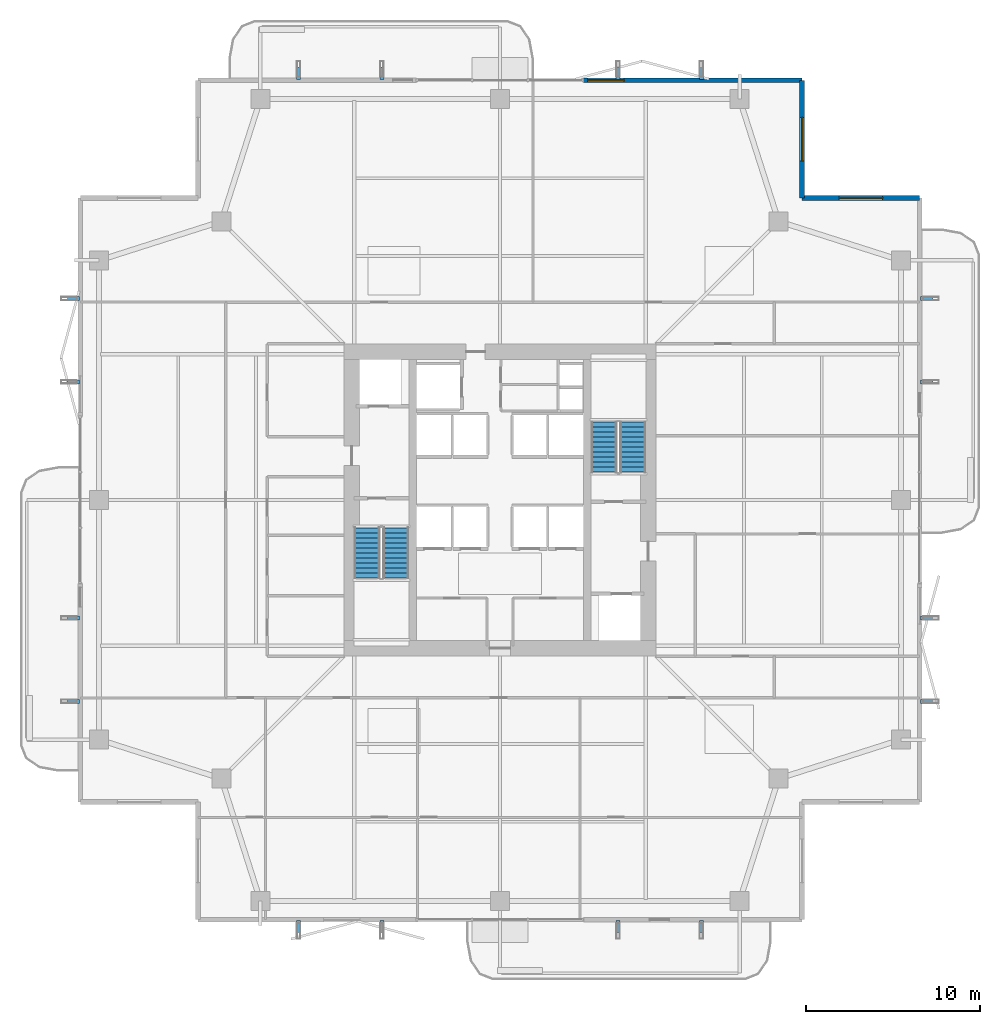
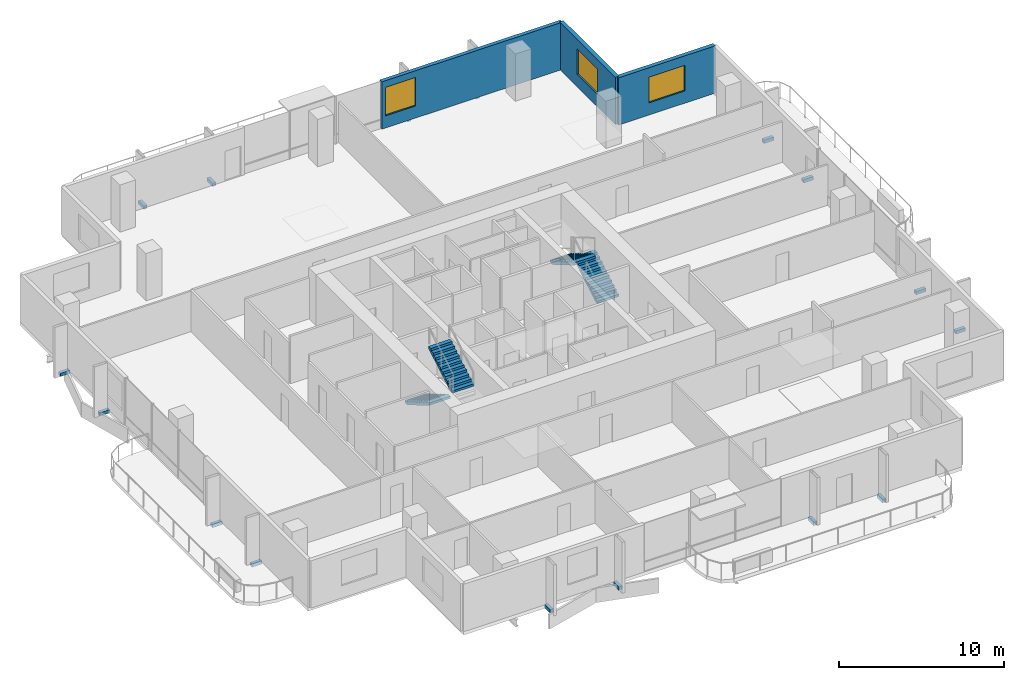
# One storey, part 21 of 25: 16 discrete accessories, 4 stair flights, 3 walls, 3 windows, 3 openings, 2 elements without a shape of their own.
"""IFC4 building model written with IfcOpenShell, lengths in metres."""

import ifcopenshell
import ifcopenshell.guid

model = None  # the IFC model being written
_history = None  # IfcOwnerHistory: only IFC2X3 demands one
_inside = {}  # id of a spatial element -> (the spatial element, [elements in it])
_under = {}  # id of a project, library or spatial element -> (it, [spatial elements below it])
_declared = {}  # id of a project -> (the project, [libraries it declares])
_typed = {}  # id of a type object -> (the type object, [elements of that type])
_made_of = {}  # id of a material, layer set ... -> (it, [elements and type objects made of it])


def new_model(schema):
    """Start an empty IFC model of exactly this schema.

    Asked for "IFC4X3", IfcOpenShell would pick the latest addendum, in which some entities
    have other attributes; the version numbers below select the first issue.
    IFC2X3 requires an IfcOwnerHistory on every rooted entity: one is made here for all.
    """
    global model, _history
    if schema == "IFC4X3":
        model = ifcopenshell.file(schema_version=(4, 3, 0, 0))
    else:
        model = ifcopenshell.file(schema=schema)
    _inside.clear()
    _under.clear()
    _declared.clear()
    _typed.clear()
    _made_of.clear()
    _history = None
    if model.schema == "IFC2X3":
        org = make("IfcOrganization", Name="unknown")
        user = make(
            "IfcPersonAndOrganization",
            ThePerson=make("IfcPerson", FamilyName="unknown"),
            TheOrganization=org,
        )
        app = make(
            "IfcApplication",
            ApplicationDeveloper=org,
            Version="unknown",
            ApplicationFullName="unknown",
            ApplicationIdentifier="unknown",
        )
        _history = make(
            "IfcOwnerHistory",
            OwningUser=user,
            OwningApplication=app,
            ChangeAction="ADDED",
            CreationDate=0,
        )
    return model


def make(cls, **values):
    """One entity of the class cls with the attributes given. An attribute that is None is left unset."""
    return model.create_entity(
        cls, **{name: value for name, value in values.items() if value is not None}
    )


def rooted(cls, **values):
    """An entity with a GlobalId (a new one), such as an element, a storey or a relation."""
    return make(cls, GlobalId=ifcopenshell.guid.new(), OwnerHistory=_history, **values)


def si_unit(unit_type, name, prefix=None):
    """IfcSIUnit, for example si_unit("LENGTHUNIT", "METRE", prefix="MILLI")."""
    return make("IfcSIUnit", UnitType=unit_type, Prefix=prefix, Name=name)


def assignment(units):
    """IfcUnitAssignment: the units of a project."""
    return None if units is None else make("IfcUnitAssignment", Units=units)


def point(xyz):
    """IfcCartesianPoint."""
    return None if xyz is None else make("IfcCartesianPoint", Coordinates=xyz)


def direction(xyz):
    """IfcDirection."""
    return None if xyz is None else make("IfcDirection", DirectionRatios=xyz)


def frame(location, z_axis=None, x_axis=None):
    """IfcAxis2Placement3D, a coordinate frame: its origin and axes. An axis left out is left unset."""
    return make(
        "IfcAxis2Placement3D",
        Location=point(location),
        Axis=direction(z_axis),
        RefDirection=direction(x_axis),
    )


def frame_2d(location, x_axis=None):
    """IfcAxis2Placement2D, a coordinate frame in the plane: its origin and x axis."""
    return make(
        "IfcAxis2Placement2D", Location=point(location), RefDirection=direction(x_axis)
    )


def origin():
    """The frame at (0, 0, 0) with its axes left unset."""
    return frame((0.0, 0.0, 0.0))


def origin_2d():
    """The frame at (0, 0) in the plane with its x axis left unset."""
    return frame_2d((0.0, 0.0))


def place(relative_to, where):
    """IfcLocalPlacement: puts the frame where relative to a parent placement (None: the world)."""
    return make(
        "IfcLocalPlacement", PlacementRelTo=relative_to, RelativePlacement=where
    )


def context(
    kind, dimensions, precision=None, world=None, true_north=None, identifier=None
):
    """IfcGeometricRepresentationContext, for example the 3D "Model" context."""
    return make(
        "IfcGeometricRepresentationContext",
        ContextIdentifier=identifier,
        ContextType=kind,
        CoordinateSpaceDimension=dimensions,
        Precision=precision,
        WorldCoordinateSystem=world,
        TrueNorth=true_north,
    )


def subcontext(parent, identifier, kind, view, scale=None):
    """IfcGeometricRepresentationSubContext, for example "Body" below "Model"."""
    return make(
        "IfcGeometricRepresentationSubContext",
        ContextIdentifier=identifier,
        ContextType=kind,
        ParentContext=parent,
        TargetScale=scale,
        TargetView=view,
    )


def project(units=None, contexts=None):
    """IfcProject with its units and contexts."""
    return rooted(
        "IfcProject",
        Name="project",
        RepresentationContexts=contexts,
        UnitsInContext=assignment(units),
    )


def spatial(cls, under=None, at=None, **own):
    """A site, building, storey or space (cls), placed at a placement, below another one or the project."""
    s = rooted(cls, ObjectPlacement=at, **own)
    if under is not None:
        _under.setdefault(under.id(), (under, []))[1].append(s)
    return s


def polyline(points):
    """IfcPolyline through the points."""
    return make("IfcPolyline", Points=[point(p) for p in points])


def profile(cls, at=None, kind="AREA", **sizes):
    """A parametric profile (cls). Its sizes go by their IFC names, for example OverallWidth=200.0."""
    return make(cls, ProfileType=kind, Position=at, **sizes)


def rectangle(**sizes):
    """IfcRectangleProfileDef."""
    return profile("IfcRectangleProfileDef", **sizes)


def outline(outer, holes=None, kind="AREA"):
    """IfcArbitraryClosedProfileDef: a profile drawn as a closed curve; with holes, ...WithVoids."""
    if holes is None:
        return make("IfcArbitraryClosedProfileDef", ProfileType=kind, OuterCurve=outer)
    return make(
        "IfcArbitraryProfileDefWithVoids",
        ProfileType=kind,
        OuterCurve=outer,
        InnerCurves=holes,
    )


def extrude(swept, where, along, depth):
    """IfcExtrudedAreaSolid: the profile swept, set in the frame where, extruded along a direction by depth."""
    return make(
        "IfcExtrudedAreaSolid",
        SweptArea=swept,
        Position=where,
        ExtrudedDirection=direction(along),
        Depth=depth,
    )


def shape(context_of_items, identifier, shape_type, items):
    """IfcShapeRepresentation: the items that make up one representation, for example the "Body"."""
    return make(
        "IfcShapeRepresentation",
        ContextOfItems=context_of_items,
        RepresentationIdentifier=identifier,
        RepresentationType=shape_type,
        Items=items,
    )


def material(Name=None, Category=None):
    """IfcMaterial."""
    return make("IfcMaterial", Name=Name, Category=Category)


def layer(
    of_material, thickness, ventilated=None, Name=None, Category=None, Priority=None
):
    """IfcMaterialLayer: one layer of a wall or slab, of a material (None: an air gap)."""
    return make(
        "IfcMaterialLayer",
        Material=of_material,
        LayerThickness=thickness,
        IsVentilated=ventilated,
        Name=Name,
        Category=Category,
        Priority=Priority,
    )


def layer_set(layers, Name=None):
    """IfcMaterialLayerSet."""
    return make("IfcMaterialLayerSet", MaterialLayers=layers, LayerSetName=Name)


def made_of(thing, what):
    """Note that an element or type object is made of a material, layer set ...; save() writes the relation."""
    if what is not None:
        _made_of.setdefault(what.id(), (what, []))[1].append(thing)
    return thing


def type_object(cls, material=None, **own):
    """A type object (cls), such as IfcWallType, which elements share."""
    return made_of(rooted(cls, **own), material)


def element(
    cls,
    number,
    at=None,
    inside=None,
    cuts=None,
    type_object=None,
    material=None,
    context=None,
    identifier="Body",
    shape_type=None,
    held_by="IfcProductDefinitionShape",
    body=None,
    shapes=None,
    **own,
):
    """One element of the class cls, such as IfcWall. Its Tag is "e" and its number.

    at: its placement. inside: the storey or other place that contains it. cuts: it is an
    opening in that element (IfcRelVoidsElement). A single representation is given by context,
    identifier, shape_type and body (its items); several are given by shapes. held_by: the class
    of the entity that holds the representations. save() writes the other relations.
    """
    e = rooted(cls, Tag="e%d" % number, ObjectPlacement=at, **own)
    if body is not None:
        shapes = [shape(context, identifier, shape_type, body)]
    if shapes is not None:
        e.Representation = make(held_by, Representations=shapes)
    if inside is not None:
        _inside.setdefault(inside.id(), (inside, []))[1].append(e)
    if cuts is not None:
        rooted(
            "IfcRelVoidsElement", RelatingBuildingElement=cuts, RelatedOpeningElement=e
        )
    if type_object is not None:
        _typed.setdefault(type_object.id(), (type_object, []))[1].append(e)
    return made_of(e, material)


def fill(opening, filler):
    """IfcRelFillsElement: the door or window that sits in an opening."""
    return rooted(
        "IfcRelFillsElement",
        RelatingOpeningElement=opening,
        RelatedBuildingElement=filler,
    )


def aggregate(whole, parts):
    """IfcRelAggregates: a whole, such as a stair, and the parts it consists of."""
    return rooted("IfcRelAggregates", RelatingObject=whole, RelatedObjects=parts)


def save(model, path):
    """Write the relations noted so far, then the file.

    IfcRelAggregates (storeys below a building ...), IfcRelContainedInSpatialStructure (elements
    in a storey), IfcRelDefinesByType, IfcRelAssociatesMaterial and IfcRelDeclares: one each for
    every whole, place, type object, material and project.
    """
    for whole, parts in _under.values():
        aggregate(whole, parts)
    for where, things in _inside.values():
        rooted(
            "IfcRelContainedInSpatialStructure",
            RelatedElements=things,
            RelatingStructure=where,
        )
    for kind, things in _typed.values():
        rooted("IfcRelDefinesByType", RelatedObjects=things, RelatingType=kind)
    for what, things in _made_of.values():
        rooted("IfcRelAssociatesMaterial", RelatedObjects=things, RelatingMaterial=what)
    for by, libraries in _declared.values():
        rooted("IfcRelDeclares", RelatingContext=by, RelatedDefinitions=libraries)
    model.write(path)


model = new_model("IFC4")

# Units and contexts
model_context = context("Model", 3, precision=1e-05, world=origin(), true_north=direction((0.0, 1.0)))
body_context = subcontext(model_context, "Body", "Model", "MODEL_VIEW")
ifc_project = project(units=[si_unit("LENGTHUNIT", "METRE"), si_unit("AREAUNIT", "SQUARE_METRE"), si_unit("VOLUMEUNIT", "CUBIC_METRE"), si_unit("PLANEANGLEUNIT", "RADIAN"), si_unit("MASSUNIT", "GRAM", prefix="KILO")], contexts=[model_context])

# Site, building, storey
site_placement = place(None, origin())
site = spatial("IfcSite", under=ifc_project, at=site_placement, CompositionType="ELEMENT")
building_placement = place(site_placement, origin())
building = spatial("IfcBuilding", under=site, at=building_placement, Name="Belovzor Exchange Tower", CompositionType="ELEMENT")
storey_placement = place(building_placement, frame((0.0, 0.0, 187.050048828125)))
storey = spatial("IfcBuildingStorey", under=building, at=storey_placement, Name="L46", CompositionType="ELEMENT", Elevation=187.050048828125)

# Wall, opening, window
ifc_material_1 = material(Name="Precast concrete C40/50", Category="concrete")
ifc_layer_1 = layer(ifc_material_1, 0.280029296875)
ifc_layer_set_1 = layer_set([ifc_layer_1], Name="Precast concrete C40/50")
wall_type_1 = type_object("IfcWallType", Name="Precast Concrete Notched Corner Frame Wall 280", PredefinedType="SOLIDWALL", material=ifc_layer_set_1)
wall_1_placement = place(storey_placement, frame((46.199951171875, 52.969970703125, 0.0), z_axis=(0.0, 0.0, 1.0), x_axis=(0.0, -1.0, 0.0)))
wall_1 = element("IfcWall", 1, at=wall_1_placement, inside=storey, type_object=wall_type_1, Name="W-CRN280 Precast Concrete Notched Corner Frame Wall 280 L46", PredefinedType="SOLIDWALL", context=body_context, shape_type="SweptSolid", body=[
    extrude(rectangle(XDim=6.77001953125, YDim=0.280029296875, at=frame_2d((3.385009765625, 0.0))), origin(), (0.0, 0.0, 1.0), 3.494873046875),
])
opening_1_placement = place(wall_1_placement, frame((2.135009765625, 0.0, 0.89990234375)))
opening_1 = element("IfcOpeningElement", 2, at=opening_1_placement, cuts=wall_1, Name="Opening WN-CRN250", PredefinedType="OPENING", context=body_context, shape_type="SweptSolid", body=[
    extrude(rectangle(XDim=2.5, YDim=1.89990234375, at=frame_2d((1.25, 0.949951171875))), frame((0.0, 0.14990234375, 0.0), z_axis=(0.0, -1.0, 0.0), x_axis=(1.0, 0.0, 0.0)), (0.0, 0.0, 1.0), 0.300048828125),
])
ifc_material_2 = material(Name="Thermally Broken Aluminium and Triple Glazing", Category="aluminium")
window_type_1 = type_object("IfcWindowType", Name="Streamline Moderne Corner Wrap Ribbon Window 2500x1900", PartitioningType="SINGLE_PANEL", PredefinedType="WINDOW", material=ifc_material_2)
window_1_placement = place(opening_1_placement, origin())
window_1 = element("IfcWindow", 3, at=window_1_placement, inside=storey, type_object=window_type_1, Name="WN-CRN250 Streamline Moderne Corner Wrap Ribbon Window 2500x1900", OverallHeight=1.89990234375, OverallWidth=2.5, PartitioningType="SINGLE_PANEL", PredefinedType="WINDOW", context=body_context, shape_type="SweptSolid", body=[
    extrude(rectangle(XDim=2.5, YDim=1.89990234375, at=frame_2d((1.25, 0.949951171875))), frame((0.0, 0.030029296875, 0.0), z_axis=(0.0, -1.0, 0.0), x_axis=(1.0, 0.0, 0.0)), (0.0, 0.0, 1.0), 0.06005859375),
])
fill(opening_1, window_1)

wall_2_placement = place(storey_placement, frame((46.199951171875, 46.199951171875, 0.0), z_axis=(0.0, 0.0, 1.0), x_axis=(1.0, 0.0, 0.0)))
wall_2 = element("IfcWall", 4, at=wall_2_placement, inside=storey, type_object=wall_type_1, Name="W-CRN280 Precast Concrete Notched Corner Frame Wall 280 L46", PredefinedType="SOLIDWALL", context=body_context, shape_type="SweptSolid", body=[
    extrude(rectangle(XDim=6.77001953125, YDim=0.280029296875, at=frame_2d((3.385009765625, 0.0))), origin(), (0.0, 0.0, 1.0), 3.494873046875),
])
opening_2_placement = place(wall_2_placement, frame((2.135009765625, 0.0, 0.89990234375)))
opening_2 = element("IfcOpeningElement", 5, at=opening_2_placement, cuts=wall_2, Name="Opening WN-CRN250", PredefinedType="OPENING", context=body_context, shape_type="SweptSolid", body=[
    extrude(rectangle(XDim=2.5, YDim=1.89990234375, at=frame_2d((1.25, 0.949951171875))), frame((0.0, 0.14990234375, 0.0), z_axis=(0.0, -1.0, 0.0), x_axis=(1.0, 0.0, 0.0)), (0.0, 0.0, 1.0), 0.300048828125),
])
window_2_placement = place(opening_2_placement, origin())
window_2 = element("IfcWindow", 6, at=window_2_placement, inside=storey, type_object=window_type_1, Name="WN-CRN250 Streamline Moderne Corner Wrap Ribbon Window 2500x1900", OverallHeight=1.89990234375, OverallWidth=2.5, PartitioningType="SINGLE_PANEL", PredefinedType="WINDOW", context=body_context, shape_type="SweptSolid", body=[
    extrude(rectangle(XDim=2.5, YDim=1.89990234375, at=frame_2d((1.25, 0.949951171875))), frame((0.0, 0.030029296875, 0.0), z_axis=(0.0, -1.0, 0.0), x_axis=(1.0, 0.0, 0.0)), (0.0, 0.0, 1.0), 0.06005859375),
])
fill(opening_2, window_2)

ifc_material_3 = material(Name="Precast concrete C40/50", Category="concrete")
ifc_layer_2 = layer(ifc_material_3, 0.260009765625)
ifc_layer_set_2 = layer_set([ifc_layer_2], Name="Precast concrete C40/50")
wall_type_2 = type_object("IfcWallType", Name="Precast Concrete Perimeter Loggia Frame Wall 260", PredefinedType="SOLIDWALL", material=ifc_layer_set_2)
wall_3_placement = place(storey_placement, frame((33.60009765625, 52.969970703125, 0.0), z_axis=(0.0, 0.0, 1.0), x_axis=(1.0, 0.0, 0.0)))
wall_3 = element("IfcWall", 7, at=wall_3_placement, inside=storey, type_object=wall_type_2, Name="W-EXT260 Precast Concrete Perimeter Loggia Frame Wall 260 L46", PredefinedType="SOLIDWALL", context=body_context, shape_type="SweptSolid", body=[
    extrude(rectangle(XDim=12.599853515625, YDim=0.260009765625, at=frame_2d((6.2998046875, 0.0))), origin(), (0.0, 0.0, 1.0), 3.494873046875),
])
opening_3_placement = place(wall_3_placement, frame((0.25, 0.0, 0.89990234375)))
opening_3 = element("IfcOpeningElement", 8, at=opening_3_placement, cuts=wall_3, Name="Opening WN-LOG210", PredefinedType="OPENING", context=body_context, shape_type="SweptSolid", body=[
    extrude(rectangle(XDim=2.10009765625, YDim=2.10009765625, at=frame_2d((1.050048828125, 1.050048828125))), frame((0.0, 0.139892578125, 0.0), z_axis=(0.0, -1.0, 0.0), x_axis=(1.0, 0.0, 0.0)), (0.0, 0.0, 1.0), 0.280029296875),
])
ifc_material_4 = material(Name="Thermally Broken Aluminium and Triple Glazing", Category="aluminium")
window_type_2 = type_object("IfcWindowType", Name="Triple-Glazed Loggia Ribbon Window 2100x2100", PartitioningType="SINGLE_PANEL", PredefinedType="WINDOW", material=ifc_material_4)
window_3_placement = place(opening_3_placement, origin())
window_3 = element("IfcWindow", 9, at=window_3_placement, inside=storey, type_object=window_type_2, Name="WN-LOG210 Triple-Glazed Loggia Ribbon Window 2100x2100", OverallHeight=2.10009765625, OverallWidth=2.10009765625, PartitioningType="SINGLE_PANEL", PredefinedType="WINDOW", context=body_context, shape_type="SweptSolid", body=[
    extrude(rectangle(XDim=2.10009765625, YDim=2.10009765625, at=frame_2d((1.050048828125, 1.050048828125))), frame((0.0, 0.030029296875, 0.0), z_axis=(0.0, -1.0, 0.0), x_axis=(1.0, 0.0, 0.0)), (0.0, 0.0, 1.0), 0.06005859375),
])
fill(opening_3, window_3)

# Stair, stair flights
ifc_material_5 = material(Name="Concrete C40/50", Category="concrete")
stair_type = type_object("IfcStairType", Name="Reinforced Concrete Dogleg Escape Stair 1350", PredefinedType="HALF_TURN_STAIR", material=ifc_material_5)
stair_1_placement = place(storey_placement, origin())
stair_1 = element("IfcStair", 10, at=stair_1_placement, inside=storey, type_object=stair_type, Name="L46 ST-1", PredefinedType="HALF_TURN_STAIR")
ifc_material_6 = material(Name="Concrete C40/50", Category="concrete")
stair_flight_type = type_object("IfcStairFlightType", Name="Reinforced Concrete Stair Flight 1350", PredefinedType="STRAIGHT", material=ifc_material_6)
stair_flight_1_placement = place(storey_placement, frame((21.14990234375, 27.199951171875, 0.0), z_axis=(0.0, 0.0, 1.0), x_axis=(0.0, -1.0, 0.0)))
stair_flight_1 = element("IfcStairFlight", 11, at=stair_flight_1_placement, type_object=stair_flight_type, Name="ST-1 flight 1", NumberOfRisers=11, NumberOfTreads=10, PredefinedType="STRAIGHT", RiserHeight=0.170454545, TreadLength=0.29, context=body_context, shape_type="SweptSolid", body=[
    extrude(outline(polyline([(0.0, 0.0), (0.0, 0.17041015625), (0.2900390625, 0.17041015625), (0.2900390625, 0.3408203125), (0.580078125, 0.3408203125), (0.580078125, 0.511474609375), (0.8701171875, 0.511474609375), (0.8701171875, 0.681884765625), (1.159912109375, 0.681884765625), (1.159912109375, 0.852294921875), (1.449951171875, 0.852294921875), (1.449951171875, 1.022705078125), (1.739990234375, 1.022705078125), (1.739990234375, 1.193115234375), (2.030029296875, 1.193115234375), (2.030029296875, 1.363525390625), (2.320068359375, 1.363525390625), (2.320068359375, 1.5341796875), (2.610107421875, 1.5341796875), (2.610107421875, 1.70458984375), (2.89990234375, 1.70458984375), (2.89990234375, 1.875), (2.89990234375, 1.53076171875), (0.2958984375, 0.0), (0.0, 0.0)])), frame((0.0, 0.75, 0.0), z_axis=(0.0, -1.0, 0.0), x_axis=(1.0, 0.0, 0.0)), (0.0, 0.0, 1.0), 1.5),
])
stair_flight_2_placement = place(storey_placement, frame((22.800048828125, 24.300048828125, 1.875), z_axis=(0.0, 0.0, 1.0), x_axis=(0.0, 1.0, 0.0)))
stair_flight_2 = element("IfcStairFlight", 12, at=stair_flight_2_placement, type_object=stair_flight_type, Name="ST-1 flight 2", NumberOfRisers=11, NumberOfTreads=10, PredefinedType="STRAIGHT", RiserHeight=0.170454545, TreadLength=0.29, context=body_context, shape_type="SweptSolid", body=[
    extrude(outline(polyline([(0.0, 0.0), (0.0, 0.17041015625), (0.2900390625, 0.17041015625), (0.2900390625, 0.3408203125), (0.580078125, 0.3408203125), (0.580078125, 0.511474609375), (0.8701171875, 0.511474609375), (0.8701171875, 0.681884765625), (1.159912109375, 0.681884765625), (1.159912109375, 0.852294921875), (1.449951171875, 0.852294921875), (1.449951171875, 1.022705078125), (1.739990234375, 1.022705078125), (1.739990234375, 1.193115234375), (2.030029296875, 1.193115234375), (2.030029296875, 1.363525390625), (2.320068359375, 1.363525390625), (2.320068359375, 1.5341796875), (2.610107421875, 1.5341796875), (2.610107421875, 1.70458984375), (2.89990234375, 1.70458984375), (2.89990234375, 1.875), (2.89990234375, 1.53076171875), (0.2958984375, 0.0), (0.0, 0.0)])), frame((0.0, 0.75, 0.0), z_axis=(0.0, -1.0, 0.0), x_axis=(1.0, 0.0, 0.0)), (0.0, 0.0, 1.0), 1.5),
])
aggregate(stair_1, [stair_flight_1, stair_flight_2])

stair_2_placement = place(storey_placement, origin())
stair_2 = element("IfcStair", 13, at=stair_2_placement, inside=storey, type_object=stair_type, Name="L46 ST-2", PredefinedType="HALF_TURN_STAIR")
stair_flight_3_placement = place(storey_placement, frame((36.449951171875, 30.39990234375, 0.0), z_axis=(0.0, 0.0, 1.0), x_axis=(0.0, 1.0, 0.0)))
stair_flight_3 = element("IfcStairFlight", 14, at=stair_flight_3_placement, type_object=stair_flight_type, Name="ST-2 flight 1", NumberOfRisers=11, NumberOfTreads=10, PredefinedType="STRAIGHT", RiserHeight=0.170454545, TreadLength=0.29, context=body_context, shape_type="SweptSolid", body=[
    extrude(outline(polyline([(0.0, 0.0), (0.0, 0.17041015625), (0.2900390625, 0.17041015625), (0.2900390625, 0.3408203125), (0.580078125, 0.3408203125), (0.580078125, 0.511474609375), (0.8701171875, 0.511474609375), (0.8701171875, 0.681884765625), (1.159912109375, 0.681884765625), (1.159912109375, 0.852294921875), (1.449951171875, 0.852294921875), (1.449951171875, 1.022705078125), (1.739990234375, 1.022705078125), (1.739990234375, 1.193115234375), (2.030029296875, 1.193115234375), (2.030029296875, 1.363525390625), (2.320068359375, 1.363525390625), (2.320068359375, 1.5341796875), (2.610107421875, 1.5341796875), (2.610107421875, 1.70458984375), (2.89990234375, 1.70458984375), (2.89990234375, 1.875), (2.89990234375, 1.53076171875), (0.2958984375, 0.0), (0.0, 0.0)])), frame((0.0, 0.75, 0.0), z_axis=(0.0, -1.0, 0.0), x_axis=(1.0, 0.0, 0.0)), (0.0, 0.0, 1.0), 1.5),
])
stair_flight_4_placement = place(storey_placement, frame((34.800048828125, 33.300048828125, 1.875), z_axis=(0.0, 0.0, 1.0), x_axis=(0.0, -1.0, 0.0)))
stair_flight_4 = element("IfcStairFlight", 15, at=stair_flight_4_placement, type_object=stair_flight_type, Name="ST-2 flight 2", NumberOfRisers=11, NumberOfTreads=10, PredefinedType="STRAIGHT", RiserHeight=0.170454545, TreadLength=0.29, context=body_context, shape_type="SweptSolid", body=[
    extrude(outline(polyline([(0.0, 0.0), (0.0, 0.17041015625), (0.2900390625, 0.17041015625), (0.2900390625, 0.3408203125), (0.580078125, 0.3408203125), (0.580078125, 0.511474609375), (0.8701171875, 0.511474609375), (0.8701171875, 0.681884765625), (1.159912109375, 0.681884765625), (1.159912109375, 0.852294921875), (1.449951171875, 0.852294921875), (1.449951171875, 1.022705078125), (1.739990234375, 1.022705078125), (1.739990234375, 1.193115234375), (2.030029296875, 1.193115234375), (2.030029296875, 1.363525390625), (2.320068359375, 1.363525390625), (2.320068359375, 1.5341796875), (2.610107421875, 1.5341796875), (2.610107421875, 1.70458984375), (2.89990234375, 1.70458984375), (2.89990234375, 1.875), (2.89990234375, 1.53076171875), (0.2958984375, 0.0), (0.0, 0.0)])), frame((0.0, 0.75, 0.0), z_axis=(0.0, -1.0, 0.0), x_axis=(1.0, 0.0, 0.0)), (0.0, 0.0, 1.0), 1.5),
])
aggregate(stair_2, [stair_flight_3, stair_flight_4])

# Discrete accessories
ifc_material_7 = material(Name="Stainless Steel Grade 316", Category="steel")
ifc_layer_3 = layer(ifc_material_7, 0.179931640625)
ifc_layer_set_3 = layer_set([ifc_layer_3], Name="Stainless Steel Grade 316")
discrete_accessory_type = type_object("IfcDiscreteAccessoryType", Name="Stainless Steel Facade Outrigger Fixing Bracket", PredefinedType="BRACKET", material=ifc_layer_set_3)
for number, where, z_axis, x_axis, name in (
    (16, (17.199951171875, 4.237060546875, -0.2470703125), (0.0, 0.0, 1.0), (0.0, 1.0, 0.0), "BRK-FIN1 Sweeping Fin Outrigger Bracket L46 S1"),
    (17, (17.199951171875, 53.362060546875, -0.2470703125), (0.0, 0.0, 1.0), (0.0, 1.0, 0.0), "BRK-FIN1 Sweeping Fin Outrigger Bracket L46 N1"),
    (18, (4.237060546875, 17.199951171875, -0.2470703125), (0.0, 0.0, 1.0), (1.0, 0.0, 0.0), "BRK-FIN1 Sweeping Fin Outrigger Bracket L46 W1"),
    (19, (53.362060546875, 17.199951171875, -0.2470703125), (0.0, 0.0, 1.0), (1.0, 0.0, 0.0), "BRK-FIN1 Sweeping Fin Outrigger Bracket L46 E1"),
    (20, (22.0, 4.237060546875, -0.2470703125), (0.0, 0.0, 1.0), (0.0, 1.0, 0.0), "BRK-FIN1 Sweeping Fin Outrigger Bracket L46 S2"),
    (21, (22.0, 53.362060546875, -0.2470703125), (0.0, 0.0, 1.0), (0.0, 1.0, 0.0), "BRK-FIN1 Sweeping Fin Outrigger Bracket L46 N2"),
    (22, (4.237060546875, 22.0, -0.2470703125), (0.0, 0.0, 1.0), (1.0, 0.0, 0.0), "BRK-FIN1 Sweeping Fin Outrigger Bracket L46 W2"),
    (23, (53.362060546875, 22.0, -0.2470703125), (0.0, 0.0, 1.0), (1.0, 0.0, 0.0), "BRK-FIN1 Sweeping Fin Outrigger Bracket L46 E2"),
    (24, (35.60009765625, 4.237060546875, -0.2470703125), (0.0, 0.0, 1.0), (0.0, 1.0, 0.0), "BRK-FIN1 Sweeping Fin Outrigger Bracket L46 S3"),
    (25, (35.60009765625, 53.362060546875, -0.2470703125), (0.0, 0.0, 1.0), (0.0, 1.0, 0.0), "BRK-FIN1 Sweeping Fin Outrigger Bracket L46 N3"),
    (26, (4.237060546875, 35.60009765625, -0.2470703125), (0.0, 0.0, 1.0), (1.0, 0.0, 0.0), "BRK-FIN1 Sweeping Fin Outrigger Bracket L46 W3"),
    (27, (53.362060546875, 35.60009765625, -0.2470703125), (0.0, 0.0, 1.0), (1.0, 0.0, 0.0), "BRK-FIN1 Sweeping Fin Outrigger Bracket L46 E3"),
    (28, (40.39990234375, 4.237060546875, -0.2470703125), (0.0, 0.0, 1.0), (0.0, 1.0, 0.0), "BRK-FIN1 Sweeping Fin Outrigger Bracket L46 S4"),
    (29, (40.39990234375, 53.362060546875, -0.2470703125), (0.0, 0.0, 1.0), (0.0, 1.0, 0.0), "BRK-FIN1 Sweeping Fin Outrigger Bracket L46 N4"),
    (30, (4.237060546875, 40.39990234375, -0.2470703125), (0.0, 0.0, 1.0), (1.0, 0.0, 0.0), "BRK-FIN1 Sweeping Fin Outrigger Bracket L46 W4"),
    (31, (53.362060546875, 40.39990234375, -0.2470703125), (0.0, 0.0, 1.0), (1.0, 0.0, 0.0), "BRK-FIN1 Sweeping Fin Outrigger Bracket L46 E4"),
):
    element("IfcDiscreteAccessory", number, at=place(storey_placement, frame(where, z_axis=z_axis, x_axis=x_axis)), inside=storey, type_object=discrete_accessory_type, Name=name, PredefinedType="BRACKET", context=body_context, shape_type="SweptSolid", body=[
        extrude(rectangle(XDim=0.68505859375, YDim=0.239990234375, at=origin_2d()), origin(), (0.0, 0.0, 1.0), 0.239990234375),
    ])

save(model, "model.ifc")
